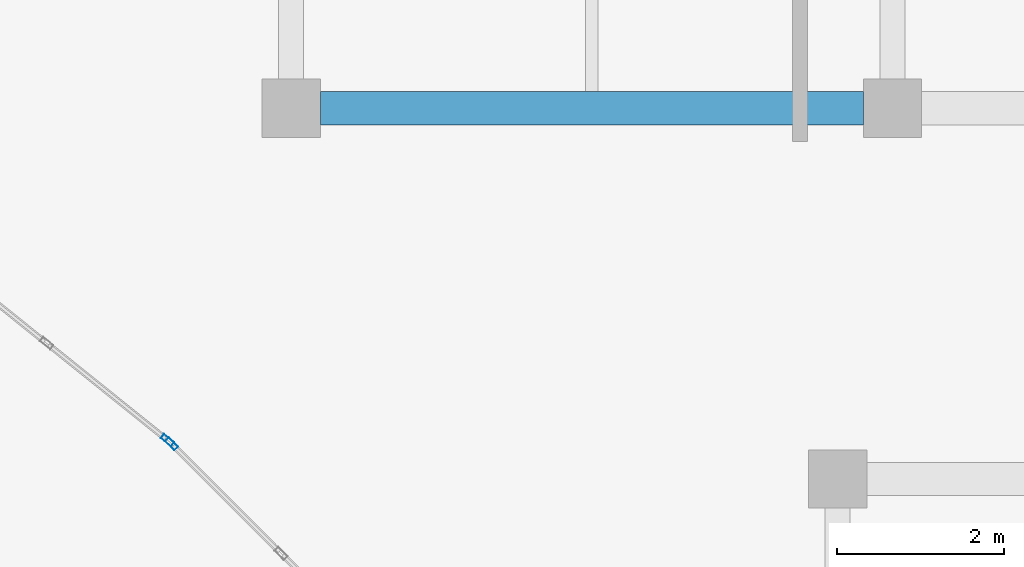
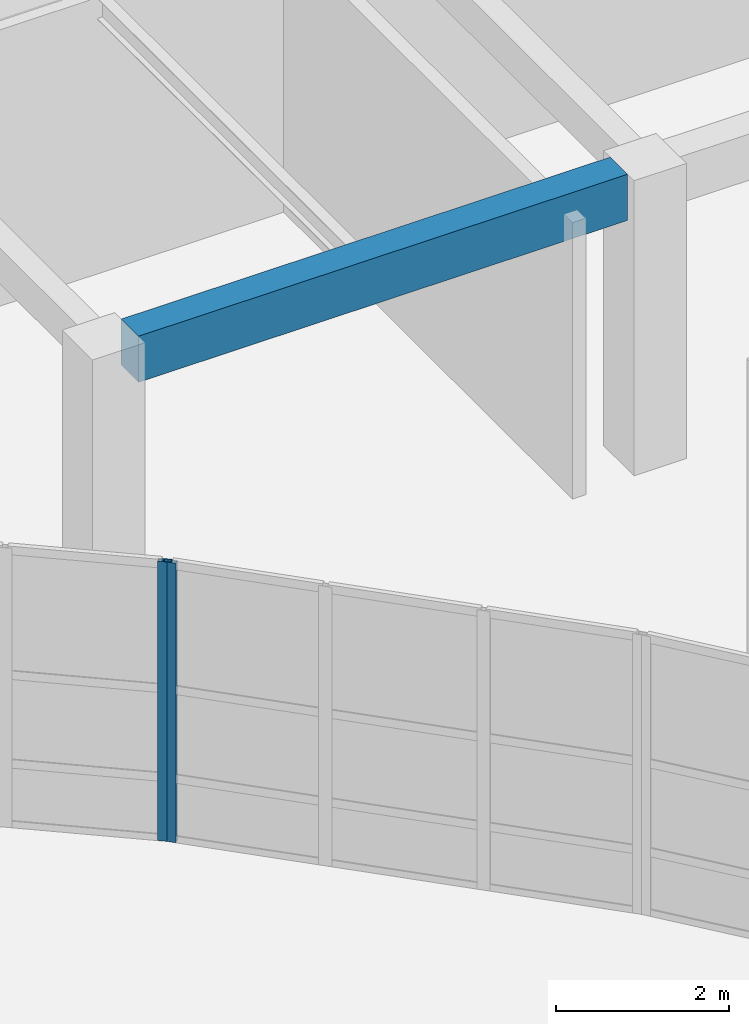
# One storey, part 57 of 114: 2 members, 1 beam, 2 elements without a shape of their own.
"""IFC4 building model written with IfcOpenShell, lengths in metres."""

from ifc_helpers import new_model, si_unit, direction, frame, origin, origin_2d, place, context, subcontext, project, spatial, rectangle, hollow_rectangle, extrude, material, layer, layer_set, material_profile, profile_set, type_object, element, aggregate, save


model = new_model("IFC4")

# Units and contexts
model_context = context("Model", 3, precision=1e-05, world=origin(), true_north=direction((0.0, 1.0)))
body_context = subcontext(model_context, "Body", "Model", "MODEL_VIEW")
ifc_project = project(units=[si_unit("LENGTHUNIT", "METRE"), si_unit("AREAUNIT", "SQUARE_METRE"), si_unit("VOLUMEUNIT", "CUBIC_METRE"), si_unit("PLANEANGLEUNIT", "RADIAN"), si_unit("MASSUNIT", "GRAM", prefix="KILO")], contexts=[model_context])

# Site, building, storey
site_placement = place(None, origin())
site = spatial("IfcSite", under=ifc_project, at=site_placement, CompositionType="ELEMENT")
building_placement = place(site_placement, origin())
building = spatial("IfcBuilding", under=site, at=building_placement, Name="Keldmere Railside Commons", CompositionType="ELEMENT")
storey_placement = place(building_placement, origin())
storey = spatial("IfcBuildingStorey", under=building, at=storey_placement, Name="L00", CompositionType="ELEMENT", Elevation=0.0)

# Beam
ifc_material_1 = material(Name="Concrete H-30 (C30/37)", Category="concrete")
ifc_material_profile_1 = material_profile(ifc_material_1, rectangle(XDim=0.39990234375, YDim=0.64990234375, at=origin_2d()), Name="RC-400x650")
ifc_profile_set_1 = profile_set([ifc_material_profile_1], Name="Concrete H-30 (C30/37)")
beam_type = type_object("IfcBeamType", Name="Residential Spine RC Girder 400x650", PredefinedType="BEAM", material=ifc_profile_set_1)
beam_placement = place(storey_placement, frame((162.239990234375, 100.449951171875, 3.8349609375), z_axis=(1.0, 0.0, 0.0), x_axis=(0.0, 1.0, 0.0)))
element("IfcBeam", 1, at=beam_placement, inside=storey, type_object=beam_type, Name="BG-3 BM-L00-0507", PredefinedType="BEAM", context=body_context, shape_type="SweptSolid", body=[
    extrude(rectangle(XDim=0.39990234375, YDim=0.64990234375, at=origin_2d()), origin(), (0.0, 0.0, 1.0), 6.52001953125),
])

# Curtain wall, member
ifc_material_2 = material(Name="Thermally Broken Aluminium", Category="aluminium")
ifc_layer_1 = layer(ifc_material_2, 0.159912109375, Name="Residential Lounge Frontage CW 4600x3600")
ifc_layer_set_1 = layer_set([ifc_layer_1], Name="Thermally Broken Aluminium")
curtain_wall_type_1 = type_object("IfcCurtainWallType", Name="Residential Lounge Frontage CW 4600x3600", PredefinedType="NOTDEFINED", material=ifc_layer_set_1)
curtain_wall_1_placement = place(storey_placement, origin())
curtain_wall_1 = element("IfcCurtainWall", 2, at=curtain_wall_1_placement, inside=storey, type_object=curtain_wall_type_1, Name="CW-11 CW-L00-157", PredefinedType="NOTDEFINED")
ifc_material_profile_2 = material_profile(ifc_material_2, hollow_rectangle(XDim=0.06494140625, YDim=0.159912109375, WallThickness=0.00390625, at=origin_2d()), Name="ALU-MULL-65x160")
ifc_profile_set_2 = profile_set([ifc_material_profile_2], Name="Thermally Broken Aluminium")
member_type = type_object("IfcMemberType", Name="Unitised Curtain Wall Mullion 65x160", PredefinedType="MULLION", material=ifc_profile_set_2)
member_1_placement = place(storey_placement, frame((160.404541015625, 96.46630859375, 0.0), z_axis=(0.0, 0.0, 1.0), x_axis=(-0.625768080915, -0.780009172323, 0.0)))
member_1 = element("IfcMember", 3, at=member_1_placement, type_object=member_type, Name="CW-11 mullion 1", PredefinedType="MULLION", context=body_context, shape_type="SweptSolid", body=[
    extrude(hollow_rectangle(XDim=0.06494140625, YDim=0.159912109375, WallThickness=0.00390625, at=origin_2d()), origin(), (0.0, 0.0, 1.0), 3.93994140625),
])
aggregate(curtain_wall_1, [member_1])

ifc_layer_2 = layer(ifc_material_2, 0.159912109375, Name="Residential Ground Entrance Lobby CW 4000x3600")
ifc_layer_set_2 = layer_set([ifc_layer_2], Name="Thermally Broken Aluminium")
curtain_wall_type_2 = type_object("IfcCurtainWallType", Name="Residential Ground Entrance Lobby CW 4000x3600", PredefinedType="NOTDEFINED", material=ifc_layer_set_2)
curtain_wall_2_placement = place(storey_placement, origin())
curtain_wall_2 = element("IfcCurtainWall", 4, at=curtain_wall_2_placement, inside=storey, type_object=curtain_wall_type_2, Name="CW-10 CW-L00-158", PredefinedType="NOTDEFINED")
member_2_placement = place(storey_placement, frame((160.452880859375, 96.423095703125, 0.0), z_axis=(0.0, 0.0, 1.0), x_axis=(-0.707106781187, -0.707106781187, 0.0)))
member_2 = element("IfcMember", 5, at=member_2_placement, type_object=member_type, Name="CW-10 mullion 4", PredefinedType="MULLION", context=body_context, shape_type="SweptSolid", body=[
    extrude(hollow_rectangle(XDim=0.06494140625, YDim=0.159912109375, WallThickness=0.00390625, at=origin_2d()), origin(), (0.0, 0.0, 1.0), 3.93994140625),
])
aggregate(curtain_wall_2, [member_2])

save(model, "model.ifc")
